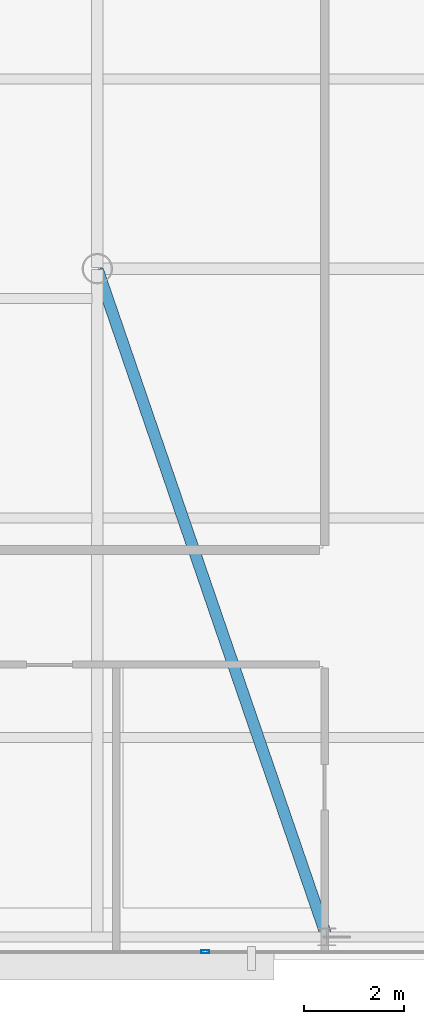
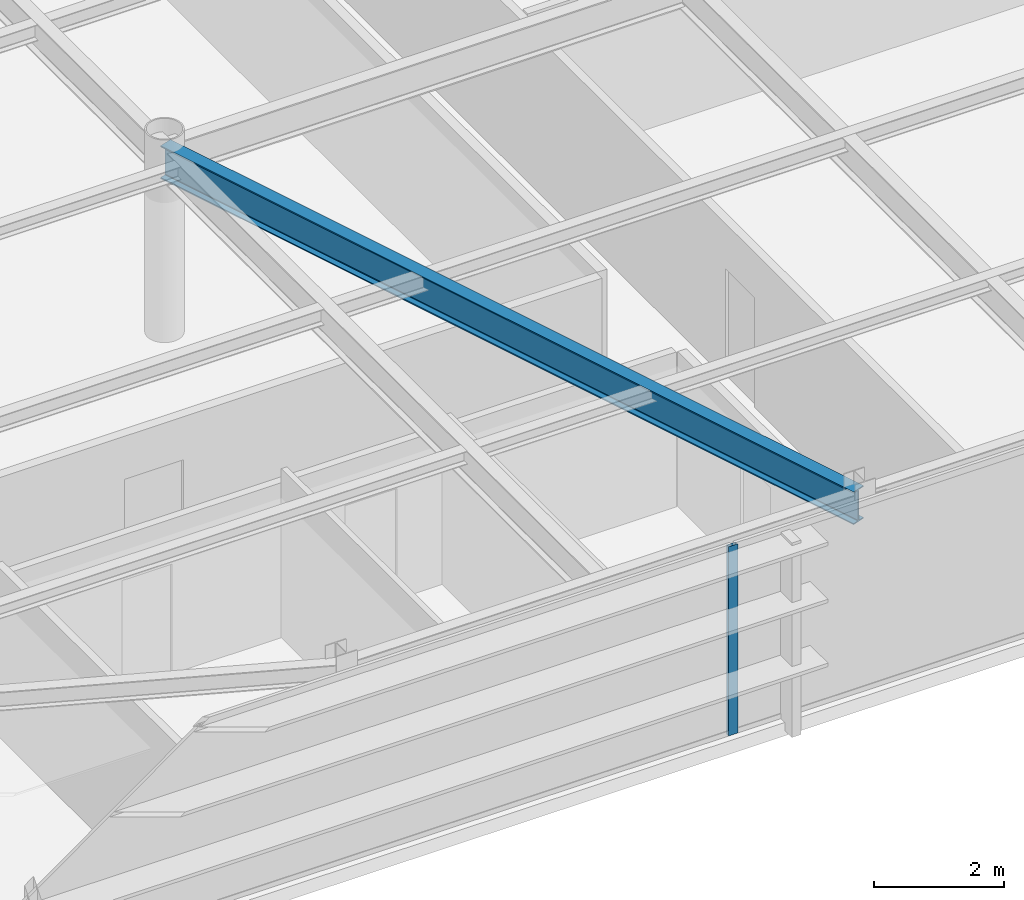
# One storey, part 6 of 25: 1 beam, 1 member, 1 element without a shape of its own.
"""IFC4 building model written with IfcOpenShell, lengths in metres."""

from ifc_helpers import new_model, si_unit, direction, frame, origin, origin_2d, place, context, subcontext, project, spatial, hollow_rectangle, i_section, extrude, source, transform, mapped, material, layer, layer_set, material_profile, profile_set, type_object, type_shapes, element, aggregate, save


model = new_model("IFC4")

# Units and contexts
model_context = context("Model", 3, precision=1e-05, world=origin(), true_north=direction((0.0, 1.0)))
body_context = subcontext(model_context, "Body", "Model", "MODEL_VIEW")
ifc_project = project(units=[si_unit("LENGTHUNIT", "METRE"), si_unit("AREAUNIT", "SQUARE_METRE"), si_unit("VOLUMEUNIT", "CUBIC_METRE"), si_unit("PLANEANGLEUNIT", "RADIAN"), si_unit("MASSUNIT", "GRAM", prefix="KILO")], contexts=[model_context])

# Site, building, storey
site_placement = place(None, origin())
site = spatial("IfcSite", under=ifc_project, at=site_placement, CompositionType="ELEMENT")
building_placement = place(site_placement, origin())
building = spatial("IfcBuilding", under=site, at=building_placement, Name="Varnel Quay Broadcast Tower", CompositionType="ELEMENT")
storey_placement = place(building_placement, frame((0.0, 0.0, 250.800048828125)))
storey = spatial("IfcBuildingStorey", under=building, at=storey_placement, Name="L62", CompositionType="ELEMENT", Elevation=250.800048828125)

# Beam
ifc_material_1 = material(Name="Structural Steel CSA G40.21 350W", Category="steel")
ifc_material_profile_1 = material_profile(ifc_material_1, i_section(OverallWidth=0.22998046875, OverallDepth=0.616943359375, WebThickness=0.01318359375, FlangeThickness=0.022216796875, FilletRadius=0.01611328125, at=origin_2d()), Name="W610X140")
ifc_profile_set_1 = profile_set([ifc_material_profile_1], Name="Structural Steel CSA G40.21 350W")
beam_type = type_object("IfcBeamType", Name="Girder_W610X140", PredefinedType="BEAM", material=ifc_profile_set_1)
shared_shape_1 = source(origin(), body_context, "Body", "SweptSolid", [
    extrude(i_section(OverallWidth=0.22998046875, OverallDepth=0.616943359375, WebThickness=0.01318359375, FlangeThickness=0.022216796875, FilletRadius=0.01611328125, at=origin_2d()), origin(), (0.0, 0.0, 1.0), 14.12744140625),
])
type_shapes(beam_type, [shared_shape_1])
beam_placement = place(storey_placement, frame((29.3935546875, 10.6689453125, 3.241455078125), z_axis=(-0.324696747868, 0.945818175932, 0.0), x_axis=(-0.945818175932, -0.324696747868, 0.0)))
element("IfcBeam", 1, at=beam_placement, inside=storey, type_object=beam_type, Name="L62 Primary Girder TC-S2-IC-01", PredefinedType="BEAM", context=body_context, shape_type="MappedRepresentation", body=[
    mapped(shared_shape_1, transform((0.0, 0.0, 0.0), x_axis=(1.0, 0.0, 0.0), y_axis=(0.0, 1.0, 0.0), z_axis=(0.0, 0.0, 1.0), scale=1.0)),
])

# Curtain wall, member
ifc_material_2 = material(Name="Anodised Bronze Aluminium 6063-T6", Category="aluminium")
ifc_layer = layer(ifc_material_2, 0.18994140625, Name="Anodised Bronze Aluminium 6063-T6")
ifc_layer_set = layer_set([ifc_layer], Name="Anodised Bronze Aluminium 6063-T6")
curtain_wall_type = type_object("IfcCurtainWallType", Name="CW_UpperTower", PredefinedType="NOTDEFINED", material=ifc_layer_set)
curtain_wall_placement = place(storey_placement, origin())
curtain_wall = element("IfcCurtainWall", 2, at=curtain_wall_placement, inside=storey, type_object=curtain_wall_type, Name="L62 South Unitised Curtain Wall 1", PredefinedType="NOTDEFINED")
ifc_material_profile_2 = material_profile(ifc_material_2, hollow_rectangle(XDim=0.06494140625, YDim=0.1650390625, WallThickness=0.00341796875, at=origin_2d()), Name="ALU65X165X3.5")
ifc_profile_set_2 = profile_set([ifc_material_profile_2], Name="Anodised Bronze Aluminium 6063-T6")
member_type = type_object("IfcMemberType", Name="Mull_CWS-03", PredefinedType="MULLION", material=ifc_profile_set_2)
shared_shape_2 = source(origin(), body_context, "Body", "SweptSolid", [
    extrude(hollow_rectangle(XDim=0.06494140625, YDim=0.1650390625, WallThickness=0.00341796875, at=origin_2d()), origin(), (0.0, 0.0, 1.0), 3.550048828125),
])
type_shapes(member_type, [shared_shape_2])
member_placement = place(storey_placement, frame((26.966552734375, 10.35009765625, 0.0), z_axis=(0.0, 0.0, 1.0), x_axis=(0.0, 1.0, 0.0)))
member = element("IfcMember", 3, at=member_placement, type_object=member_type, Name="CWS-03 mullion 2", PredefinedType="MULLION", context=body_context, shape_type="MappedRepresentation", body=[
    mapped(shared_shape_2, transform((0.0, 0.0, 0.0), x_axis=(1.0, 0.0, 0.0), y_axis=(0.0, 1.0, 0.0), z_axis=(0.0, 0.0, 1.0), scale=1.0)),
])
aggregate(curtain_wall, [member])

save(model, "model.ifc")
